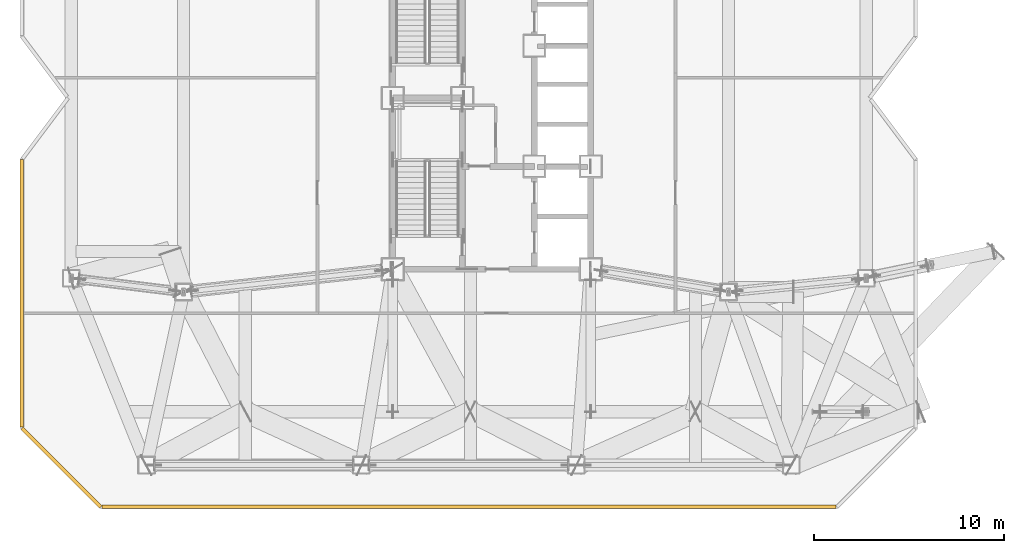
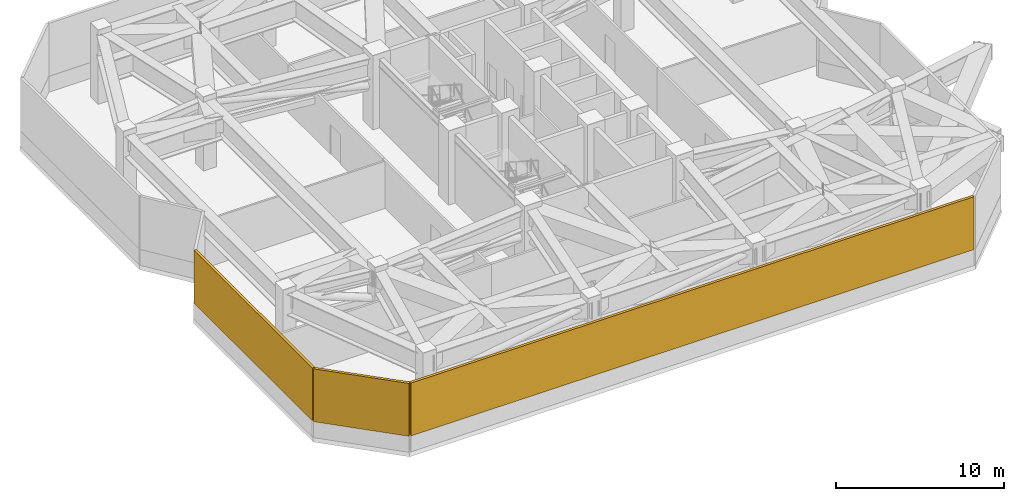
# One storey, part 17 of 19: 3 shading devices.
"""IFC4 building model written with IfcOpenShell, lengths in metres."""

from ifc_helpers import new_model, si_unit, direction, frame, origin, origin_2d, place, context, subcontext, project, spatial, rectangle, extrude, material, type_object, element, save


model = new_model("IFC4")

# Units and contexts
model_context = context("Model", 3, precision=1e-05, world=origin(), true_north=direction((0.0, 1.0)))
body_context = subcontext(model_context, "Body", "Model", "MODEL_VIEW")
ifc_project = project(units=[si_unit("LENGTHUNIT", "METRE"), si_unit("AREAUNIT", "SQUARE_METRE"), si_unit("VOLUMEUNIT", "CUBIC_METRE"), si_unit("PLANEANGLEUNIT", "RADIAN"), si_unit("MASSUNIT", "GRAM", prefix="KILO")], contexts=[model_context])

# Site, building, storey
site_placement = place(None, origin())
site = spatial("IfcSite", under=ifc_project, at=site_placement, CompositionType="ELEMENT")
building_placement = place(site_placement, origin())
building = spatial("IfcBuilding", under=site, at=building_placement, Name="Khamvora Tower", CompositionType="ELEMENT")
storey_placement = place(building_placement, frame((0.0, 0.0, 150.5)))
storey = spatial("IfcBuildingStorey", under=building, at=storey_placement, Name="L38", CompositionType="ELEMENT", Elevation=150.5)

# Shading devices
ifc_material = material(Name="Pale Anodised Aluminium 6063-T6", Category="aluminium")
shading_device_type = type_object("IfcShadingDeviceType", Name="SHD-LVR-150", PredefinedType="JALOUSIE", material=ifc_material)
shading_device_1_placement = place(storey_placement, frame((11.570068359375, 8.570068359375, 1.14990234375), z_axis=(0.0, 0.0, 1.0), x_axis=(-0.707106781187, 0.707106781187, 0.0)))
element("IfcShadingDevice", 1, at=shading_device_1_placement, inside=storey, type_object=shading_device_type, Name="L38 mechanical weather louvre 01.1", PredefinedType="JALOUSIE", context=body_context, shape_type="SweptSolid", body=[
    extrude(rectangle(XDim=5.85595703125, YDim=0.179931640625, at=origin_2d()), origin(), (0.0, 0.0, 1.0), 3.830078125),
])
shading_device_2_placement = place(storey_placement, frame((9.5, 17.736083984375, 1.14990234375), z_axis=(0.0, 0.0, 1.0), x_axis=(0.0, 1.0, 0.0)))
element("IfcShadingDevice", 2, at=shading_device_2_placement, inside=storey, type_object=shading_device_type, Name="L38 mechanical weather louvre 02.1", PredefinedType="JALOUSIE", context=body_context, shape_type="SweptSolid", body=[
    extrude(rectangle(XDim=14.06298828125, YDim=0.179931640625, at=origin_2d()), origin(), (0.0, 0.0, 1.0), 3.830078125),
])
shading_device_3_placement = place(storey_placement, frame((32.9990234375, 6.5, 1.14990234375), z_axis=(0.0, 0.0, 1.0), x_axis=(-1.0, 0.0, 0.0)))
element("IfcShadingDevice", 3, at=shading_device_3_placement, inside=storey, type_object=shading_device_type, Name="L38 mechanical weather louvre 14.1", PredefinedType="JALOUSIE", context=body_context, shape_type="SweptSolid", body=[
    extrude(rectangle(XDim=38.593017578125, YDim=0.179931640625, at=origin_2d()), origin(), (0.0, 0.0, 1.0), 3.830078125),
])

save(model, "model.ifc")
